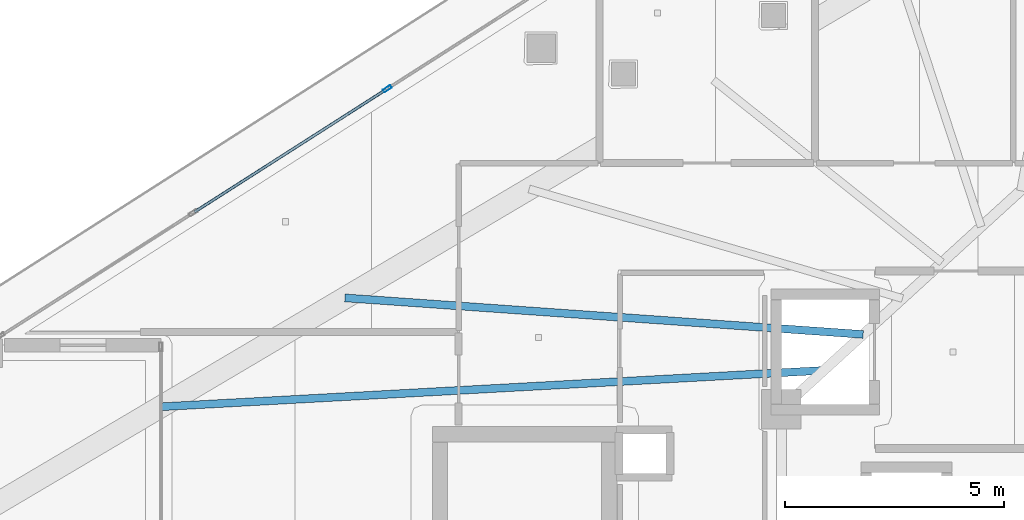
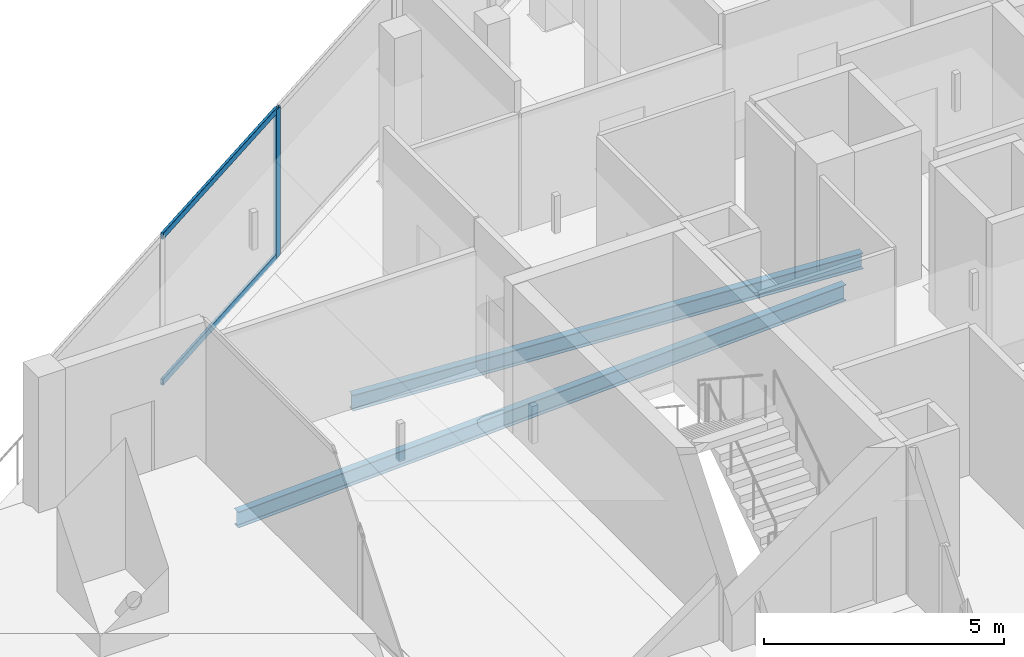
# One storey, part 16 of 36: 3 members, 2 beams, 1 element without a shape of its own.
"""IFC4 building model written with IfcOpenShell, lengths in metres."""

from ifc_helpers import new_model, si_unit, direction, frame, origin, origin_2d, place, context, subcontext, project, spatial, hollow_rectangle, i_section, extrude, material, layer, layer_set, material_profile, profile_set, type_object, element, aggregate, save


model = new_model("IFC4")

# Units and contexts
model_context = context("Model", 3, precision=1e-05, world=origin(), true_north=direction((0.0, 1.0)))
body_context = subcontext(model_context, "Body", "Model", "MODEL_VIEW")
ifc_project = project(units=[si_unit("LENGTHUNIT", "METRE"), si_unit("AREAUNIT", "SQUARE_METRE"), si_unit("VOLUMEUNIT", "CUBIC_METRE"), si_unit("PLANEANGLEUNIT", "RADIAN"), si_unit("MASSUNIT", "GRAM", prefix="KILO")], contexts=[model_context])

# Site, building, storey
site_placement = place(None, origin())
site = spatial("IfcSite", under=ifc_project, at=site_placement, CompositionType="ELEMENT")
building_placement = place(site_placement, origin())
building = spatial("IfcBuilding", under=site, at=building_placement, Name="Qorvath Tower", CompositionType="ELEMENT")
storey_placement = place(building_placement, frame((0.0, 0.0, 229.35009765625)))
storey = spatial("IfcBuildingStorey", under=building, at=storey_placement, Name="L53", CompositionType="ELEMENT", Elevation=229.35009765625)

# Beams
ifc_material_1 = material(Name="Steel ASTM A992 Grade 50", Category="steel")
ifc_material_profile_1 = material_profile(ifc_material_1, i_section(OverallWidth=0.177978515625, OverallDepth=0.406005859375, WebThickness=0.0078125, FlangeThickness=0.0126953125, FilletRadius=0.010986328125, at=origin_2d()), Name="W16x40")
ifc_profile_set_1 = profile_set([ifc_material_profile_1], Name="Steel ASTM A992 Grade 50")
beam_type = type_object("IfcBeamType", Name="BM-FJ3", PredefinedType="JOIST", material=ifc_profile_set_1)
beam_1_placement = place(storey_placement, frame((-29.533935546875, 6.031982421875, -0.472900390625), z_axis=(-0.998494745044, -0.054847462293, 0.0), x_axis=(0.054847462293, -0.998494745044, 0.0)))
element("IfcBeam", 1, at=beam_1_placement, inside=storey, type_object=beam_type, Name="Composite Floor Joist NW1 L53", PredefinedType="JOIST", context=body_context, shape_type="SweptSolid", body=[
    extrude(i_section(OverallWidth=0.177978515625, OverallDepth=0.406005859375, WebThickness=0.0078125, FlangeThickness=0.0126953125, FilletRadius=0.010986328125, at=origin_2d()), origin(), (0.0, 0.0, 1.0), 15.138671875),
])
beam_2_placement = place(storey_placement, frame((-28.636962890625, 6.85107421875, -0.472900390625), z_axis=(-0.997520476731, 0.070376832146, 0.0), x_axis=(-0.070376832146, -0.997520476731, 0.0)))
element("IfcBeam", 2, at=beam_2_placement, inside=storey, type_object=beam_type, Name="Composite Floor Joist NW2 L53", PredefinedType="JOIST", context=body_context, shape_type="SweptSolid", body=[
    extrude(i_section(OverallWidth=0.177978515625, OverallDepth=0.406005859375, WebThickness=0.0078125, FlangeThickness=0.0126953125, FilletRadius=0.010986328125, at=origin_2d()), origin(), (0.0, 0.0, 1.0), 11.84326171875),
])

# Curtain wall, members
ifc_material_2 = material(Name="Anodised aluminium and triple low-E glass", Category="aluminium")
ifc_layer = layer(ifc_material_2, 0.179931640625)
ifc_layer_set = layer_set([ifc_layer], Name="CW-SYS-5")
curtain_wall_type = type_object("IfcCurtainWallType", Name="CW-SYS-5", PredefinedType="NOTDEFINED", material=ifc_layer_set)
curtain_wall_placement = place(storey_placement, origin())
curtain_wall = element("IfcCurtainWall", 3, at=curtain_wall_placement, inside=storey, type_object=curtain_wall_type, Name="Curtain Wall CW-5 CW-T-L53-18.1", PredefinedType="NOTDEFINED")
ifc_material_3 = material(Name="Anodised aluminium 6063-T6", Category="aluminium")
ifc_material_profile_2 = material_profile(ifc_material_3, hollow_rectangle(XDim=0.074951171875, YDim=0.199951171875, WallThickness=0.00390625, InnerFilletRadius=0.00390625, OuterFilletRadius=0.008056640625, at=origin_2d()), Name="CWM 200x75")
ifc_profile_set_2 = profile_set([ifc_material_profile_2], Name="Anodised aluminium 6063-T6")
member_type_1 = type_object("IfcMemberType", Name="CWM-200", PredefinedType="MULLION", material=ifc_profile_set_2)
member_1_placement = place(storey_placement, frame((-39.48388671875, 12.452880859375, 0.0), z_axis=(0.0, 0.0, 1.0), x_axis=(0.538531098636, -0.842605634803, 0.0)))
member_1 = element("IfcMember", 4, at=member_1_placement, type_object=member_type_1, Name="CW-5 mullion 6", PredefinedType="MULLION", context=body_context, shape_type="SweptSolid", body=[
    extrude(hollow_rectangle(XDim=0.074951171875, YDim=0.199951171875, WallThickness=0.00390625, InnerFilletRadius=0.00390625, OuterFilletRadius=0.008056640625, at=origin_2d()), origin(), (0.0, 0.0, 1.0), 3.77978515625),
])
ifc_material_4 = material(Name="Anodised aluminium 6063-T6", Category="aluminium")
ifc_material_profile_3 = material_profile(ifc_material_4, hollow_rectangle(XDim=0.06494140625, YDim=0.159912109375, WallThickness=0.00341796875, InnerFilletRadius=0.00341796875, OuterFilletRadius=0.007080078125, at=origin_2d()), Name="CWT 160x65")
ifc_profile_set_3 = profile_set([ifc_material_profile_3], Name="Anodised aluminium 6063-T6")
member_type_2 = type_object("IfcMemberType", Name="CWT-160", PredefinedType="USERDEFINED", material=ifc_profile_set_3)
member_2_placement = place(storey_placement, frame((-39.515380859375, 12.4326171875, 0.032470703125), z_axis=(-0.842629113093, -0.538494361872, 0.0), x_axis=(0.538494361872, -0.842629113093, 0.0)))
member_2 = element("IfcMember", 5, at=member_2_placement, type_object=member_type_2, Name="CW-5 transom 6.1", ObjectType="TRANSOM", PredefinedType="USERDEFINED", context=body_context, shape_type="SweptSolid", body=[
    extrude(hollow_rectangle(XDim=0.06494140625, YDim=0.159912109375, WallThickness=0.00341796875, InnerFilletRadius=0.00341796875, OuterFilletRadius=0.007080078125, at=origin_2d()), origin(), (0.0, 0.0, 1.0), 5.178466796875),
])
member_3_placement = place(storey_placement, frame((-39.515380859375, 12.4326171875, 3.747314453125), z_axis=(-0.842629113093, -0.538494361872, 0.0), x_axis=(0.538494361872, -0.842629113093, 0.0)))
member_3 = element("IfcMember", 6, at=member_3_placement, type_object=member_type_2, Name="CW-5 transom 6.2", ObjectType="TRANSOM", PredefinedType="USERDEFINED", context=body_context, shape_type="SweptSolid", body=[
    extrude(hollow_rectangle(XDim=0.06494140625, YDim=0.159912109375, WallThickness=0.00341796875, InnerFilletRadius=0.00341796875, OuterFilletRadius=0.007080078125, at=origin_2d()), origin(), (0.0, 0.0, 1.0), 5.178466796875),
])
aggregate(curtain_wall, [member_1, member_2, member_3])

save(model, "model.ifc")
